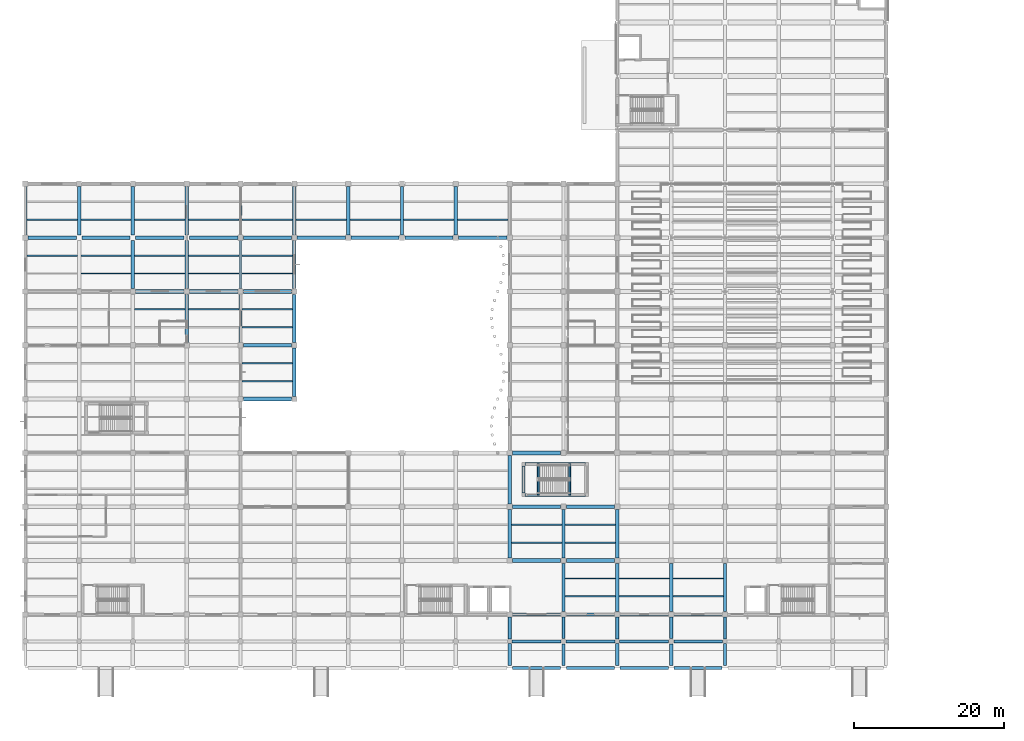
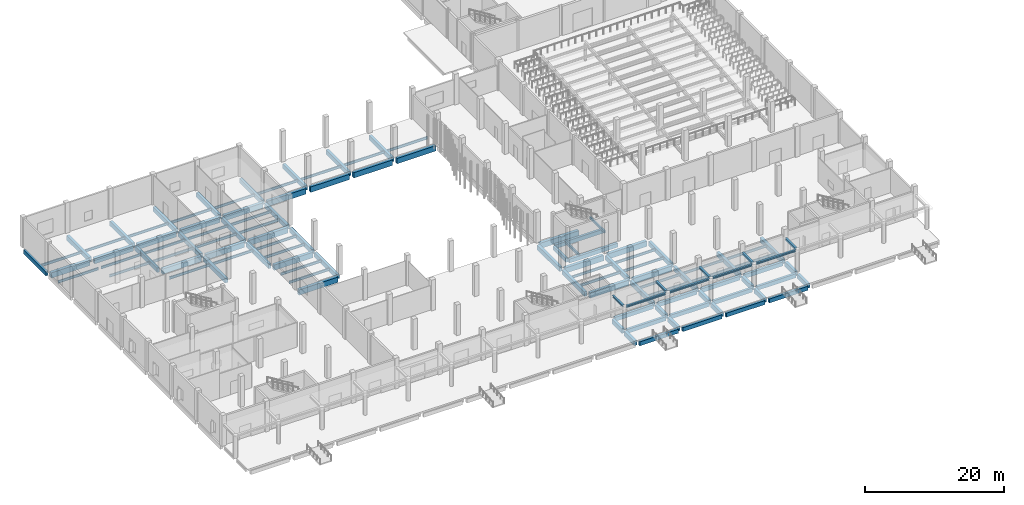
# One storey, part 15 of 46: 114 beams.
"""IFC4 building model written with IfcOpenShell, lengths in metres."""

from ifc_helpers import new_model, si_unit, direction, frame, origin, origin_2d, place, context, subcontext, project, spatial, rectangle, i_section, extrude, material, material_profile, profile_set, type_object, element, save


model = new_model("IFC4")

# Units and contexts
model_context = context("Model", 3, precision=1e-05, world=origin(), true_north=direction((0.0, 1.0)))
body_context = subcontext(model_context, "Body", "Model", "MODEL_VIEW")
ifc_project = project(units=[si_unit("LENGTHUNIT", "METRE"), si_unit("AREAUNIT", "SQUARE_METRE"), si_unit("VOLUMEUNIT", "CUBIC_METRE"), si_unit("PLANEANGLEUNIT", "RADIAN"), si_unit("MASSUNIT", "GRAM", prefix="KILO"), si_unit("THERMODYNAMICTEMPERATUREUNIT", "KELVIN"), si_unit("POWERUNIT", "WATT")], contexts=[model_context])

# Site, building, storey
site_placement = place(None, origin())
site = spatial("IfcSite", under=ifc_project, at=site_placement, CompositionType="ELEMENT")
building_placement = place(site_placement, origin())
building = spatial("IfcBuilding", under=site, at=building_placement, Name="Kaldorven Railside Theatre", CompositionType="ELEMENT")
storey_placement = place(building_placement, origin())
storey = spatial("IfcBuildingStorey", under=building, at=storey_placement, Name="L00", CompositionType="ELEMENT", Elevation=0.0)

# Beams
ifc_material_1 = material(Name="Steel S355", Category="steel")
ifc_material_profile_1 = material_profile(ifc_material_1, i_section(OverallWidth=0.300048828125, OverallDepth=0.340087890625, WebThickness=0.011962890625, FlangeThickness=0.021484375, at=origin_2d()), Name="HEB 340")
ifc_profile_set_1 = profile_set([ifc_material_profile_1], Name="Steel S355")
beam_type_1 = type_object("IfcBeamType", Name="BM-HEB340", PredefinedType="SPANDREL", material=ifc_profile_set_1)
beam_1_placement = place(storey_placement, frame((72.800048828125, 15.89990234375, 3.739990234375), z_axis=(0.0, 1.0, 0.0), x_axis=(-1.0, 0.0, 0.0)))
element("IfcBeam", 1, at=beam_1_placement, inside=storey, type_object=beam_type_1, Name="Forecourt Canopy Outrigger Beam CANB-10", PredefinedType="SPANDREL", context=body_context, shape_type="SweptSolid", body=[
    extrude(i_section(OverallWidth=0.300048828125, OverallDepth=0.340087890625, WebThickness=0.011962890625, FlangeThickness=0.021484375, at=origin_2d()), origin(), (0.0, 0.0, 1.0), 2.9501953125),
])
beam_2_placement = place(storey_placement, frame((80.0, 15.949951171875, 3.739990234375), z_axis=(0.0, 1.0, 0.0), x_axis=(-1.0, 0.0, 0.0)))
element("IfcBeam", 2, at=beam_2_placement, inside=storey, type_object=beam_type_1, Name="Forecourt Canopy Outrigger Beam CANB-11", PredefinedType="SPANDREL", context=body_context, shape_type="SweptSolid", body=[
    extrude(i_section(OverallWidth=0.300048828125, OverallDepth=0.340087890625, WebThickness=0.011962890625, FlangeThickness=0.021484375, at=origin_2d()), origin(), (0.0, 0.0, 1.0), 2.900146484375),
])
beam_3_placement = place(storey_placement, frame((87.199951171875, 15.89990234375, 3.739990234375), z_axis=(0.0, 1.0, 0.0), x_axis=(-1.0, 0.0, 0.0)))
element("IfcBeam", 3, at=beam_3_placement, inside=storey, type_object=beam_type_1, Name="Forecourt Canopy Outrigger Beam CANB-12", PredefinedType="SPANDREL", context=body_context, shape_type="SweptSolid", body=[
    extrude(i_section(OverallWidth=0.300048828125, OverallDepth=0.340087890625, WebThickness=0.011962890625, FlangeThickness=0.021484375, at=origin_2d()), origin(), (0.0, 0.0, 1.0), 2.9501953125),
])
beam_4_placement = place(storey_placement, frame((94.39990234375, 15.949951171875, 3.739990234375), z_axis=(0.0, 1.0, 0.0), x_axis=(-1.0, 0.0, 0.0)))
element("IfcBeam", 4, at=beam_4_placement, inside=storey, type_object=beam_type_1, Name="Forecourt Canopy Outrigger Beam CANB-13", PredefinedType="SPANDREL", context=body_context, shape_type="SweptSolid", body=[
    extrude(i_section(OverallWidth=0.300048828125, OverallDepth=0.340087890625, WebThickness=0.011962890625, FlangeThickness=0.021484375, at=origin_2d()), origin(), (0.0, 0.0, 1.0), 2.900146484375),
])
beam_5_placement = place(storey_placement, frame((101.60009765625, 15.89990234375, 3.739990234375), z_axis=(0.0, 1.0, 0.0), x_axis=(-1.0, 0.0, 0.0)))
element("IfcBeam", 5, at=beam_5_placement, inside=storey, type_object=beam_type_1, Name="Forecourt Canopy Outrigger Beam CANB-14", PredefinedType="SPANDREL", context=body_context, shape_type="SweptSolid", body=[
    extrude(i_section(OverallWidth=0.300048828125, OverallDepth=0.340087890625, WebThickness=0.011962890625, FlangeThickness=0.021484375, at=origin_2d()), origin(), (0.0, 0.0, 1.0), 2.9501953125),
])
for number, where, z_axis, x_axis, name in (
    (6, (73.10009765625, 15.60009765625, 3.739990234375), (1.0, 0.0, 0.0), (0.0, 1.0, 0.0), "Forecourt Canopy Front Edge Girder CANE-10"),
    (7, (80.35009765625, 15.60009765625, 3.739990234375), (1.0, 0.0, 0.0), (0.0, 1.0, 0.0), "Forecourt Canopy Front Edge Girder CANE-11"),
):
    element("IfcBeam", number, at=place(storey_placement, frame(where, z_axis=z_axis, x_axis=x_axis)), inside=storey, type_object=beam_type_1, Name=name, PredefinedType="SPANDREL", context=body_context, shape_type="SweptSolid", body=[
        extrude(i_section(OverallWidth=0.300048828125, OverallDepth=0.340087890625, WebThickness=0.011962890625, FlangeThickness=0.021484375, at=origin_2d()), origin(), (0.0, 0.0, 1.0), 6.5498046875),
    ])
for number, where, z_axis, x_axis, name in (
    (8, (87.5, 15.60009765625, 3.739990234375), (1.0, 0.0, 0.0), (0.0, 1.0, 0.0), "Forecourt Canopy Front Edge Girder CANE-12"),
    (9, (94.75, 15.60009765625, 3.739990234375), (1.0, 0.0, 0.0), (0.0, 1.0, 0.0), "Forecourt Canopy Front Edge Girder CANE-13"),
):
    element("IfcBeam", number, at=place(storey_placement, frame(where, z_axis=z_axis, x_axis=x_axis)), inside=storey, type_object=beam_type_1, Name=name, PredefinedType="SPANDREL", context=body_context, shape_type="SweptSolid", body=[
        extrude(i_section(OverallWidth=0.300048828125, OverallDepth=0.340087890625, WebThickness=0.011962890625, FlangeThickness=0.021484375, at=origin_2d()), origin(), (0.0, 0.0, 1.0), 6.550048828125),
    ])
ifc_material_profile_2 = material_profile(ifc_material_1, i_section(OverallWidth=0.18994140625, OverallDepth=0.449951171875, WebThickness=0.009521484375, FlangeThickness=0.0146484375, at=origin_2d()), Name="IPE 450")
ifc_profile_set_2 = profile_set([ifc_material_profile_2], Name="Steel S355")
beam_type_2 = type_object("IfcBeamType", Name="BM-IPE450", PredefinedType="JOIST", material=ifc_profile_set_2)
for number, where, z_axis, x_axis, name in (
    (10, (80.22509765625, 21.60009765625, -0.544921875), (1.0, 0.0, 0.0), (0.0, 1.0, 0.0), "L00 Secondary Floor Joist JG-L00-080-0216"),
    (11, (80.22509765625, 24.0, -0.544921875), (1.0, 0.0, 0.0), (0.0, 1.0, 0.0), "L00 Secondary Floor Joist JG-L00-080-0240"),
    (12, (87.425048828125, 21.60009765625, -0.544921875), (1.0, 0.0, 0.0), (0.0, 1.0, 0.0), "L00 Secondary Floor Joist JG-L00-087-0216"),
    (13, (87.425048828125, 24.0, -0.544921875), (1.0, 0.0, 0.0), (0.0, 1.0, 0.0), "L00 Secondary Floor Joist JG-L00-087-0240"),
    (14, (94.625, 21.60009765625, -0.544921875), (1.0, 0.0, 0.0), (0.0, 1.0, 0.0), "L00 Secondary Floor Joist JG-L00-094-0216"),
    (15, (94.625, 24.0, -0.544921875), (1.0, 0.0, 0.0), (0.0, 1.0, 0.0), "L00 Secondary Floor Joist JG-L00-094-0240"),
    (16, (73.02490234375, 28.800048828125, -0.544921875), (1.0, 0.0, 0.0), (0.0, 1.0, 0.0), "L00 Secondary Floor Joist JG-L00-072-0288"),
    (17, (73.02490234375, 31.199951171875, -0.544921875), (1.0, 0.0, 0.0), (0.0, 1.0, 0.0), "L00 Secondary Floor Joist JG-L00-072-0312"),
    (18, (80.22509765625, 28.800048828125, -0.544921875), (1.0, 0.0, 0.0), (0.0, 1.0, 0.0), "L00 Secondary Floor Joist JG-L00-080-0288"),
    (19, (80.22509765625, 31.199951171875, -0.544921875), (1.0, 0.0, 0.0), (0.0, 1.0, 0.0), "L00 Secondary Floor Joist JG-L00-080-0312"),
    (20, (37.02490234375, 50.39990234375, -0.5048828125), (1.0, 0.0, 0.0), (0.0, 1.0, 0.0), "L00 Secondary Floor Joist JG-L00-036-0504"),
    (21, (37.02490234375, 52.800048828125, -0.5048828125), (1.0, 0.0, 0.0), (0.0, 1.0, 0.0), "L00 Secondary Floor Joist JG-L00-036-0528"),
    (22, (22.625, 60.0, -0.52490234375), (1.0, 0.0, 0.0), (0.0, 1.0, 0.0), "L00 Secondary Floor Joist JG-L00-022-0600"),
    (23, (29.824951171875, 60.0, -0.52490234375), (1.0, 0.0, 0.0), (0.0, 1.0, 0.0), "L00 Secondary Floor Joist JG-L00-029-0600"),
    (24, (37.02490234375, 57.60009765625, -0.5048828125), (1.0, 0.0, 0.0), (0.0, 1.0, 0.0), "L00 Secondary Floor Joist JG-L00-036-0576"),
    (25, (37.02490234375, 60.0, -0.5048828125), (1.0, 0.0, 0.0), (0.0, 1.0, 0.0), "L00 Secondary Floor Joist JG-L00-036-0600"),
):
    element("IfcBeam", number, at=place(storey_placement, frame(where, z_axis=z_axis, x_axis=x_axis)), inside=storey, type_object=beam_type_2, Name=name, PredefinedType="JOIST", context=body_context, shape_type="SweptSolid", body=[
        extrude(i_section(OverallWidth=0.18994140625, OverallDepth=0.449951171875, WebThickness=0.009521484375, FlangeThickness=0.0146484375, at=origin_2d()), origin(), (0.0, 0.0, 1.0), 6.75),
    ])
beam_6_placement = place(storey_placement, frame((8.199951171875, 67.199951171875, -0.52490234375), z_axis=(1.0, 0.0, 0.0), x_axis=(0.0, 1.0, 0.0)))
element("IfcBeam", 26, at=beam_6_placement, inside=storey, type_object=beam_type_2, Name="L00 Secondary Floor Joist JG-L00-008-0672", PredefinedType="JOIST", context=body_context, shape_type="SweptSolid", body=[
    extrude(i_section(OverallWidth=0.18994140625, OverallDepth=0.449951171875, WebThickness=0.009521484375, FlangeThickness=0.0146484375, at=origin_2d()), origin(), (0.0, 0.0, 1.0), 6.775146484375),
])
for number, where, z_axis, x_axis, name in (
    (27, (15.425048828125, 64.800048828125, -0.52490234375), (1.0, 0.0, 0.0), (0.0, 1.0, 0.0), "L00 Secondary Floor Joist JG-L00-015-0648"),
    (28, (15.425048828125, 67.199951171875, -0.52490234375), (1.0, 0.0, 0.0), (0.0, 1.0, 0.0), "L00 Secondary Floor Joist JG-L00-015-0672"),
    (29, (22.625, 64.800048828125, -0.52490234375), (1.0, 0.0, 0.0), (0.0, 1.0, 0.0), "L00 Secondary Floor Joist JG-L00-022-0648"),
    (30, (22.625, 67.199951171875, -0.52490234375), (1.0, 0.0, 0.0), (0.0, 1.0, 0.0), "L00 Secondary Floor Joist JG-L00-022-0672"),
    (31, (29.824951171875, 64.800048828125, -0.52490234375), (1.0, 0.0, 0.0), (0.0, 1.0, 0.0), "L00 Secondary Floor Joist JG-L00-029-0648"),
    (32, (29.824951171875, 67.199951171875, -0.52490234375), (1.0, 0.0, 0.0), (0.0, 1.0, 0.0), "L00 Secondary Floor Joist JG-L00-029-0672"),
    (33, (37.02490234375, 64.800048828125, -0.52490234375), (1.0, 0.0, 0.0), (0.0, 1.0, 0.0), "L00 Secondary Floor Joist JG-L00-036-0648"),
    (34, (37.02490234375, 67.199951171875, -0.52490234375), (1.0, 0.0, 0.0), (0.0, 1.0, 0.0), "L00 Secondary Floor Joist JG-L00-036-0672"),
):
    element("IfcBeam", number, at=place(storey_placement, frame(where, z_axis=z_axis, x_axis=x_axis)), inside=storey, type_object=beam_type_2, Name=name, PredefinedType="JOIST", context=body_context, shape_type="SweptSolid", body=[
        extrude(i_section(OverallWidth=0.18994140625, OverallDepth=0.449951171875, WebThickness=0.009521484375, FlangeThickness=0.0146484375, at=origin_2d()), origin(), (0.0, 0.0, 1.0), 6.75),
    ])
beam_7_placement = place(storey_placement, frame((8.199951171875, 72.0, -0.52490234375), z_axis=(1.0, 0.0, 0.0), x_axis=(0.0, 1.0, 0.0)))
element("IfcBeam", 35, at=beam_7_placement, inside=storey, type_object=beam_type_2, Name="L00 Secondary Floor Joist JG-L00-008-0720", PredefinedType="JOIST", context=body_context, shape_type="SweptSolid", body=[
    extrude(i_section(OverallWidth=0.18994140625, OverallDepth=0.449951171875, WebThickness=0.009521484375, FlangeThickness=0.0146484375, at=origin_2d()), origin(), (0.0, 0.0, 1.0), 6.775146484375),
])
for number, where, z_axis, x_axis, name in (
    (36, (15.425048828125, 72.0, -0.52490234375), (1.0, 0.0, 0.0), (0.0, 1.0, 0.0), "L00 Secondary Floor Joist JG-L00-015-0720"),
    (37, (22.625, 72.0, -0.52490234375), (1.0, 0.0, 0.0), (0.0, 1.0, 0.0), "L00 Secondary Floor Joist JG-L00-022-0720"),
    (38, (29.824951171875, 72.0, -0.52490234375), (1.0, 0.0, 0.0), (0.0, 1.0, 0.0), "L00 Secondary Floor Joist JG-L00-029-0720"),
    (39, (37.02490234375, 72.0, -0.52490234375), (1.0, 0.0, 0.0), (0.0, 1.0, 0.0), "L00 Secondary Floor Joist JG-L00-036-0720"),
    (40, (44.22509765625, 72.0, -0.52490234375), (1.0, 0.0, 0.0), (0.0, 1.0, 0.0), "L00 Secondary Floor Joist JG-L00-044-0720"),
    (41, (51.425048828125, 72.0, -0.52490234375), (1.0, 0.0, 0.0), (0.0, 1.0, 0.0), "L00 Secondary Floor Joist JG-L00-051-0720"),
    (42, (58.625, 72.0, -0.52490234375), (1.0, 0.0, 0.0), (0.0, 1.0, 0.0), "L00 Secondary Floor Joist JG-L00-058-0720"),
    (43, (65.824951171875, 72.0, -0.52490234375), (1.0, 0.0, 0.0), (0.0, 1.0, 0.0), "L00 Secondary Floor Joist JG-L00-065-0720"),
):
    element("IfcBeam", number, at=place(storey_placement, frame(where, z_axis=z_axis, x_axis=x_axis)), inside=storey, type_object=beam_type_2, Name=name, PredefinedType="JOIST", context=body_context, shape_type="SweptSolid", body=[
        extrude(i_section(OverallWidth=0.18994140625, OverallDepth=0.449951171875, WebThickness=0.009521484375, FlangeThickness=0.0146484375, at=origin_2d()), origin(), (0.0, 0.0, 1.0), 6.75),
    ])
ifc_material_2 = material(Name="Concrete C40/50", Category="concrete")
ifc_material_profile_3 = material_profile(ifc_material_2, rectangle(XDim=0.25, YDim=0.39990234375, at=origin_2d()), Name="RC 250x400")
ifc_profile_set_3 = profile_set([ifc_material_profile_3], Name="Concrete C40/50")
beam_type_3 = type_object("IfcBeamType", Name="BM-RC250x400", PredefinedType="LINTEL", material=ifc_profile_set_3)
beam_8_placement = place(storey_placement, frame((76.60009765625, 35.169921875, -0.344970703125), z_axis=(0.0, 1.0, 0.0), x_axis=(-1.0, 0.0, 0.0)))
element("IfcBeam", 44, at=beam_8_placement, inside=storey, type_object=beam_type_3, Name="Stair ST-07 L00 Landing Trimmer Beam", PredefinedType="LINTEL", context=body_context, shape_type="SweptSolid", body=[
    extrude(rectangle(XDim=0.25, YDim=0.39990234375, at=origin_2d()), origin(), (0.0, 0.0, 1.0), 4.16015625),
])
beam_9_placement = place(storey_placement, frame((80.824951171875, 35.139892578125, 2.300048828125), z_axis=(0.0, 1.0, 0.0), x_axis=(-1.0, 0.0, 0.0)))
element("IfcBeam", 45, at=beam_9_placement, inside=storey, type_object=beam_type_3, Name="Stair ST-07 L00 Half-Landing Bearer", PredefinedType="LINTEL", context=body_context, shape_type="SweptSolid", body=[
    extrude(rectangle(XDim=0.25, YDim=0.39990234375, at=origin_2d()), origin(), (0.0, 0.0, 1.0), 4.22021484375),
])
ifc_material_profile_4 = material_profile(ifc_material_2, rectangle(XDim=0.39990234375, YDim=0.699951171875, at=origin_2d()), Name="RC 400x700")
ifc_profile_set_4 = profile_set([ifc_material_profile_4], Name="Concrete C40/50")
beam_type_4 = type_object("IfcBeamType", Name="BM-RC400x700", PredefinedType="BEAM", material=ifc_profile_set_4)
for number, where, z_axis, x_axis, name in (
    (46, (73.175048828125, 12.0, -0.60009765625), (1.0, 0.0, 0.0), (0.0, 1.0, 0.0), "L00 Girder BGX-L00-072-012"),
    (47, (80.375, 12.0, -0.60009765625), (1.0, 0.0, 0.0), (0.0, 1.0, 0.0), "L00 Girder BGX-L00-080-012"),
    (48, (87.574951171875, 12.0, -0.60009765625), (1.0, 0.0, 0.0), (0.0, 1.0, 0.0), "L00 Girder BGX-L00-087-012"),
):
    element("IfcBeam", number, at=place(storey_placement, frame(where, z_axis=z_axis, x_axis=x_axis)), inside=storey, type_object=beam_type_4, Name=name, PredefinedType="BEAM", context=body_context, shape_type="SweptSolid", body=[
        extrude(rectangle(XDim=0.39990234375, YDim=0.699951171875, at=origin_2d()), origin(), (0.0, 0.0, 1.0), 6.449951171875),
    ])
beam_10_placement = place(storey_placement, frame((94.77490234375, 12.0, -0.60009765625), z_axis=(1.0, 0.0, 0.0), x_axis=(0.0, 1.0, 0.0)))
element("IfcBeam", 49, at=beam_10_placement, inside=storey, type_object=beam_type_4, Name="L00 Girder BGX-L00-094-012", PredefinedType="BEAM", context=body_context, shape_type="SweptSolid", body=[
    extrude(rectangle(XDim=0.39990234375, YDim=0.699951171875, at=origin_2d()), origin(), (0.0, 0.0, 1.0), 6.4501953125),
])
for number, where, z_axis, x_axis, name in (
    (50, (73.10009765625, 15.60009765625, -0.60009765625), (1.0, 0.0, 0.0), (0.0, 1.0, 0.0), "L00 Girder BGX-L00-072-015"),
    (51, (80.35009765625, 15.60009765625, -0.60009765625), (1.0, 0.0, 0.0), (0.0, 1.0, 0.0), "L00 Girder BGX-L00-080-015"),
):
    element("IfcBeam", number, at=place(storey_placement, frame(where, z_axis=z_axis, x_axis=x_axis)), inside=storey, type_object=beam_type_4, Name=name, PredefinedType="BEAM", context=body_context, shape_type="SweptSolid", body=[
        extrude(rectangle(XDim=0.39990234375, YDim=0.699951171875, at=origin_2d()), origin(), (0.0, 0.0, 1.0), 6.5498046875),
    ])
for number, where, z_axis, x_axis, name in (
    (52, (87.5, 15.60009765625, -0.60009765625), (1.0, 0.0, 0.0), (0.0, 1.0, 0.0), "L00 Girder BGX-L00-087-015"),
    (53, (94.75, 15.60009765625, -0.60009765625), (1.0, 0.0, 0.0), (0.0, 1.0, 0.0), "L00 Girder BGX-L00-094-015"),
):
    element("IfcBeam", number, at=place(storey_placement, frame(where, z_axis=z_axis, x_axis=x_axis)), inside=storey, type_object=beam_type_4, Name=name, PredefinedType="BEAM", context=body_context, shape_type="SweptSolid", body=[
        extrude(rectangle(XDim=0.39990234375, YDim=0.699951171875, at=origin_2d()), origin(), (0.0, 0.0, 1.0), 6.550048828125),
    ])
for number, where, z_axis, x_axis, name in (
    (54, (73.175048828125, 19.199951171875, -0.669921875), (1.0, 0.0, 0.0), (0.0, 1.0, 0.0), "L00 Girder BGX-L00-072-019"),
    (55, (80.375, 19.199951171875, -0.669921875), (1.0, 0.0, 0.0), (0.0, 1.0, 0.0), "L00 Girder BGX-L00-080-019"),
    (56, (87.574951171875, 19.199951171875, -0.669921875), (1.0, 0.0, 0.0), (0.0, 1.0, 0.0), "L00 Girder BGX-L00-087-019"),
):
    element("IfcBeam", number, at=place(storey_placement, frame(where, z_axis=z_axis, x_axis=x_axis)), inside=storey, type_object=beam_type_4, Name=name, PredefinedType="BEAM", context=body_context, shape_type="SweptSolid", body=[
        extrude(rectangle(XDim=0.39990234375, YDim=0.699951171875, at=origin_2d()), origin(), (0.0, 0.0, 1.0), 6.449951171875),
    ])
beam_11_placement = place(storey_placement, frame((94.77490234375, 19.199951171875, -0.669921875), z_axis=(1.0, 0.0, 0.0), x_axis=(0.0, 1.0, 0.0)))
element("IfcBeam", 57, at=beam_11_placement, inside=storey, type_object=beam_type_4, Name="L00 Girder BGX-L00-094-019", PredefinedType="BEAM", context=body_context, shape_type="SweptSolid", body=[
    extrude(rectangle(XDim=0.39990234375, YDim=0.699951171875, at=origin_2d()), origin(), (0.0, 0.0, 1.0), 6.4501953125),
])
beam_12_placement = place(storey_placement, frame((8.0, 69.97509765625, -0.64990234375), z_axis=(0.0, 1.0, 0.0), x_axis=(-1.0, 0.0, 0.0)))
element("IfcBeam", 58, at=beam_12_placement, inside=storey, type_object=beam_type_4, Name="L00 Girder BGY-L00-008-069-72", PredefinedType="BEAM", context=body_context, shape_type="SweptSolid", body=[
    extrude(rectangle(XDim=0.39990234375, YDim=0.699951171875, at=origin_2d()), origin(), (0.0, 0.0, 1.0), 6.449951171875),
])
for number, where, z_axis, x_axis, name in (
    (59, (74.875, 35.199951171875, -0.669921875), (1.0, 0.0, 0.0), (0.0, 1.0, 0.0), "Core ST-07 L00 Ring Girder"),
    (60, (82.925048828125, 39.300048828125, -0.669921875), (-1.0, 0.0, 0.0), (0.0, -1.0, 0.0), "Core ST-07 L00 Ring Girder"),
):
    element("IfcBeam", number, at=place(storey_placement, frame(where, z_axis=z_axis, x_axis=x_axis)), inside=storey, type_object=beam_type_4, Name=name, PredefinedType="BEAM", context=body_context, shape_type="SweptSolid", body=[
        extrude(rectangle(XDim=0.39990234375, YDim=0.699951171875, at=origin_2d()), origin(), (0.0, 0.0, 1.0), 8.050048828125),
    ])
beam_13_placement = place(storey_placement, frame((74.64990234375, 39.074951171875, -0.669921875), z_axis=(0.0, -1.0, 0.0), x_axis=(1.0, 0.0, 0.0)))
element("IfcBeam", 61, at=beam_13_placement, inside=storey, type_object=beam_type_4, Name="Core ST-07 L00 Ring Girder", PredefinedType="BEAM", context=body_context, shape_type="SweptSolid", body=[
    extrude(rectangle(XDim=0.39990234375, YDim=0.699951171875, at=origin_2d()), origin(), (0.0, 0.0, 1.0), 3.64990234375),
])
ifc_material_profile_5 = material_profile(ifc_material_2, rectangle(XDim=0.449951171875, YDim=0.800048828125, at=origin_2d()), Name="RC 450x800")
ifc_profile_set_5 = profile_set([ifc_material_profile_5], Name="Concrete C40/50")
beam_type_5 = type_object("IfcBeamType", Name="BM-RC450x800", PredefinedType="BEAM", material=ifc_profile_set_5)
beam_14_placement = place(storey_placement, frame((72.800048828125, 12.375, -0.64990234375), z_axis=(0.0, 1.0, 0.0), x_axis=(-1.0, 0.0, 0.0)))
element("IfcBeam", 62, at=beam_14_placement, inside=storey, type_object=beam_type_5, Name="L00 Girder BGY-L00-072-012-36", PredefinedType="BEAM", context=body_context, shape_type="SweptSolid", body=[
    extrude(rectangle(XDim=0.449951171875, YDim=0.800048828125, at=origin_2d()), origin(), (0.0, 0.0, 1.0), 2.925048828125),
])
beam_15_placement = place(storey_placement, frame((80.0, 12.375, -0.64990234375), z_axis=(0.0, 1.0, 0.0), x_axis=(-1.0, 0.0, 0.0)))
element("IfcBeam", 63, at=beam_15_placement, inside=storey, type_object=beam_type_5, Name="L00 Girder BGY-L00-080-012-36", PredefinedType="BEAM", context=body_context, shape_type="SweptSolid", body=[
    extrude(rectangle(XDim=0.449951171875, YDim=0.800048828125, at=origin_2d()), origin(), (0.0, 0.0, 1.0), 2.875),
])
beam_16_placement = place(storey_placement, frame((87.199951171875, 12.375, -0.64990234375), z_axis=(0.0, 1.0, 0.0), x_axis=(-1.0, 0.0, 0.0)))
element("IfcBeam", 64, at=beam_16_placement, inside=storey, type_object=beam_type_5, Name="L00 Girder BGY-L00-087-012-36", PredefinedType="BEAM", context=body_context, shape_type="SweptSolid", body=[
    extrude(rectangle(XDim=0.449951171875, YDim=0.800048828125, at=origin_2d()), origin(), (0.0, 0.0, 1.0), 2.925048828125),
])
beam_17_placement = place(storey_placement, frame((94.39990234375, 12.375, -0.64990234375), z_axis=(0.0, 1.0, 0.0), x_axis=(-1.0, 0.0, 0.0)))
element("IfcBeam", 65, at=beam_17_placement, inside=storey, type_object=beam_type_5, Name="L00 Girder BGY-L00-094-012-36", PredefinedType="BEAM", context=body_context, shape_type="SweptSolid", body=[
    extrude(rectangle(XDim=0.449951171875, YDim=0.800048828125, at=origin_2d()), origin(), (0.0, 0.0, 1.0), 2.875),
])
for number, where, z_axis, x_axis, name in (
    (66, (101.60009765625, 12.375, -0.64990234375), (0.0, 1.0, 0.0), (-1.0, 0.0, 0.0), "L00 Girder BGY-L00-101-012-36"),
    (67, (72.800048828125, 15.89990234375, -0.64990234375), (0.0, 1.0, 0.0), (-1.0, 0.0, 0.0), "L00 Girder BGY-L00-072-015-36"),
):
    element("IfcBeam", number, at=place(storey_placement, frame(where, z_axis=z_axis, x_axis=x_axis)), inside=storey, type_object=beam_type_5, Name=name, PredefinedType="BEAM", context=body_context, shape_type="SweptSolid", body=[
        extrude(rectangle(XDim=0.449951171875, YDim=0.800048828125, at=origin_2d()), origin(), (0.0, 0.0, 1.0), 2.925048828125),
    ])
beam_18_placement = place(storey_placement, frame((80.0, 15.949951171875, -0.64990234375), z_axis=(0.0, 1.0, 0.0), x_axis=(-1.0, 0.0, 0.0)))
element("IfcBeam", 68, at=beam_18_placement, inside=storey, type_object=beam_type_5, Name="L00 Girder BGY-L00-080-015-36", PredefinedType="BEAM", context=body_context, shape_type="SweptSolid", body=[
    extrude(rectangle(XDim=0.449951171875, YDim=0.800048828125, at=origin_2d()), origin(), (0.0, 0.0, 1.0), 2.875),
])
beam_19_placement = place(storey_placement, frame((87.199951171875, 15.89990234375, -0.64990234375), z_axis=(0.0, 1.0, 0.0), x_axis=(-1.0, 0.0, 0.0)))
element("IfcBeam", 69, at=beam_19_placement, inside=storey, type_object=beam_type_5, Name="L00 Girder BGY-L00-087-015-36", PredefinedType="BEAM", context=body_context, shape_type="SweptSolid", body=[
    extrude(rectangle(XDim=0.449951171875, YDim=0.800048828125, at=origin_2d()), origin(), (0.0, 0.0, 1.0), 2.925048828125),
])
beam_20_placement = place(storey_placement, frame((94.39990234375, 15.949951171875, -0.64990234375), z_axis=(0.0, 1.0, 0.0), x_axis=(-1.0, 0.0, 0.0)))
element("IfcBeam", 70, at=beam_20_placement, inside=storey, type_object=beam_type_5, Name="L00 Girder BGY-L00-094-015-36", PredefinedType="BEAM", context=body_context, shape_type="SweptSolid", body=[
    extrude(rectangle(XDim=0.449951171875, YDim=0.800048828125, at=origin_2d()), origin(), (0.0, 0.0, 1.0), 2.875),
])
beam_21_placement = place(storey_placement, frame((101.60009765625, 15.89990234375, -0.64990234375), z_axis=(0.0, 1.0, 0.0), x_axis=(-1.0, 0.0, 0.0)))
element("IfcBeam", 71, at=beam_21_placement, inside=storey, type_object=beam_type_5, Name="L00 Girder BGY-L00-101-015-36", PredefinedType="BEAM", context=body_context, shape_type="SweptSolid", body=[
    extrude(rectangle(XDim=0.449951171875, YDim=0.800048828125, at=origin_2d()), origin(), (0.0, 0.0, 1.0), 2.925048828125),
])
for number, where, z_axis, x_axis, name in (
    (72, (80.0, 19.574951171875, -0.719970703125), (0.0, 1.0, 0.0), (-1.0, 0.0, 0.0), "L00 Girder BGY-L00-080-019-72"),
    (73, (87.199951171875, 19.574951171875, -0.719970703125), (0.0, 1.0, 0.0), (-1.0, 0.0, 0.0), "L00 Girder BGY-L00-087-019-72"),
    (74, (94.39990234375, 19.574951171875, -0.719970703125), (0.0, 1.0, 0.0), (-1.0, 0.0, 0.0), "L00 Girder BGY-L00-094-019-72"),
    (75, (101.60009765625, 19.574951171875, -0.719970703125), (0.0, 1.0, 0.0), (-1.0, 0.0, 0.0), "L00 Girder BGY-L00-101-019-72"),
):
    element("IfcBeam", number, at=place(storey_placement, frame(where, z_axis=z_axis, x_axis=x_axis)), inside=storey, type_object=beam_type_5, Name=name, PredefinedType="BEAM", context=body_context, shape_type="SweptSolid", body=[
        extrude(rectangle(XDim=0.449951171875, YDim=0.800048828125, at=origin_2d()), origin(), (0.0, 0.0, 1.0), 6.449951171875),
    ])
for number, where, z_axis, x_axis, name in (
    (76, (72.800048828125, 26.77490234375, -0.719970703125), (0.0, 1.0, 0.0), (-1.0, 0.0, 0.0), "L00 Girder BGY-L00-072-026-72"),
    (77, (80.0, 26.77490234375, -0.719970703125), (0.0, 1.0, 0.0), (-1.0, 0.0, 0.0), "L00 Girder BGY-L00-080-026-72"),
    (78, (87.199951171875, 26.77490234375, -0.719970703125), (0.0, 1.0, 0.0), (-1.0, 0.0, 0.0), "L00 Girder BGY-L00-087-026-72"),
):
    element("IfcBeam", number, at=place(storey_placement, frame(where, z_axis=z_axis, x_axis=x_axis)), inside=storey, type_object=beam_type_5, Name=name, PredefinedType="BEAM", context=body_context, shape_type="SweptSolid", body=[
        extrude(rectangle(XDim=0.449951171875, YDim=0.800048828125, at=origin_2d()), origin(), (0.0, 0.0, 1.0), 6.4501953125),
    ])
for number, where, z_axis, x_axis, name in (
    (79, (72.800048828125, 33.97509765625, -0.719970703125), (0.0, 1.0, 0.0), (-1.0, 0.0, 0.0), "L00 Girder BGY-L00-072-033-72"),
    (80, (44.0, 48.375, -0.679931640625), (0.0, 1.0, 0.0), (-1.0, 0.0, 0.0), "L00 Girder BGY-L00-044-048-72"),
    (81, (29.60009765625, 55.574951171875, -0.699951171875), (0.0, 1.0, 0.0), (-1.0, 0.0, 0.0), "L00 Girder BGY-L00-029-055-72"),
    (82, (36.800048828125, 55.574951171875, -0.699951171875), (0.0, 1.0, 0.0), (-1.0, 0.0, 0.0), "L00 Girder BGY-L00-036-055-72"),
    (83, (44.0, 55.574951171875, -0.679931640625), (0.0, 1.0, 0.0), (-1.0, 0.0, 0.0), "L00 Girder BGY-L00-044-055-72"),
):
    element("IfcBeam", number, at=place(storey_placement, frame(where, z_axis=z_axis, x_axis=x_axis)), inside=storey, type_object=beam_type_5, Name=name, PredefinedType="BEAM", context=body_context, shape_type="SweptSolid", body=[
        extrude(rectangle(XDim=0.449951171875, YDim=0.800048828125, at=origin_2d()), origin(), (0.0, 0.0, 1.0), 6.449951171875),
    ])
for number, where, z_axis, x_axis, name in (
    (84, (22.39990234375, 62.77490234375, -0.699951171875), (0.0, 1.0, 0.0), (-1.0, 0.0, 0.0), "L00 Girder BGY-L00-022-062-72"),
    (85, (29.60009765625, 62.77490234375, -0.699951171875), (0.0, 1.0, 0.0), (-1.0, 0.0, 0.0), "L00 Girder BGY-L00-029-062-72"),
    (86, (36.800048828125, 62.77490234375, -0.699951171875), (0.0, 1.0, 0.0), (-1.0, 0.0, 0.0), "L00 Girder BGY-L00-036-062-72"),
    (87, (44.0, 62.77490234375, -0.699951171875), (0.0, 1.0, 0.0), (-1.0, 0.0, 0.0), "L00 Girder BGY-L00-044-062-72"),
):
    element("IfcBeam", number, at=place(storey_placement, frame(where, z_axis=z_axis, x_axis=x_axis)), inside=storey, type_object=beam_type_5, Name=name, PredefinedType="BEAM", context=body_context, shape_type="SweptSolid", body=[
        extrude(rectangle(XDim=0.449951171875, YDim=0.800048828125, at=origin_2d()), origin(), (0.0, 0.0, 1.0), 6.4501953125),
    ])
for number, where, z_axis, x_axis, name in (
    (88, (15.199951171875, 69.97509765625, -0.699951171875), (0.0, 1.0, 0.0), (-1.0, 0.0, 0.0), "L00 Girder BGY-L00-015-069-72"),
    (89, (22.39990234375, 69.97509765625, -0.699951171875), (0.0, 1.0, 0.0), (-1.0, 0.0, 0.0), "L00 Girder BGY-L00-022-069-72"),
    (90, (29.60009765625, 69.97509765625, -0.699951171875), (0.0, 1.0, 0.0), (-1.0, 0.0, 0.0), "L00 Girder BGY-L00-029-069-72"),
    (91, (36.800048828125, 69.97509765625, -0.699951171875), (0.0, 1.0, 0.0), (-1.0, 0.0, 0.0), "L00 Girder BGY-L00-036-069-72"),
    (92, (44.0, 69.97509765625, -0.699951171875), (0.0, 1.0, 0.0), (-1.0, 0.0, 0.0), "L00 Girder BGY-L00-044-069-72"),
    (93, (51.199951171875, 69.97509765625, -0.699951171875), (0.0, 1.0, 0.0), (-1.0, 0.0, 0.0), "L00 Girder BGY-L00-051-069-72"),
    (94, (58.39990234375, 69.97509765625, -0.699951171875), (0.0, 1.0, 0.0), (-1.0, 0.0, 0.0), "L00 Girder BGY-L00-058-069-72"),
    (95, (65.60009765625, 69.97509765625, -0.699951171875), (0.0, 1.0, 0.0), (-1.0, 0.0, 0.0), "L00 Girder BGY-L00-065-069-72"),
):
    element("IfcBeam", number, at=place(storey_placement, frame(where, z_axis=z_axis, x_axis=x_axis)), inside=storey, type_object=beam_type_5, Name=name, PredefinedType="BEAM", context=body_context, shape_type="SweptSolid", body=[
        extrude(rectangle(XDim=0.449951171875, YDim=0.800048828125, at=origin_2d()), origin(), (0.0, 0.0, 1.0), 6.449951171875),
    ])
ifc_material_profile_6 = material_profile(ifc_material_2, rectangle(XDim=0.5, YDim=0.949951171875, at=origin_2d()), Name="RC 500x950")
ifc_profile_set_6 = profile_set([ifc_material_profile_6], Name="Concrete C40/50")
beam_type_6 = type_object("IfcBeamType", Name="BM-RC500x950", PredefinedType="BEAM", material=ifc_profile_set_6)
for number, where, z_axis, x_axis, name in (
    (96, (73.175048828125, 26.39990234375, -0.794921875), (1.0, 0.0, 0.0), (0.0, 1.0, 0.0), "L00 Girder BGX-L00-072-026"),
    (97, (80.375, 26.39990234375, -0.794921875), (1.0, 0.0, 0.0), (0.0, 1.0, 0.0), "L00 Girder BGX-L00-080-026"),
    (98, (73.175048828125, 33.60009765625, -0.794921875), (1.0, 0.0, 0.0), (0.0, 1.0, 0.0), "L00 Girder BGX-L00-072-033"),
    (99, (80.375, 33.60009765625, -0.794921875), (1.0, 0.0, 0.0), (0.0, 1.0, 0.0), "L00 Girder BGX-L00-080-033"),
    (100, (73.175048828125, 40.800048828125, -0.794921875), (1.0, 0.0, 0.0), (0.0, 1.0, 0.0), "L00 Girder BGX-L00-072-040"),
    (101, (37.175048828125, 48.0, -0.7548828125), (1.0, 0.0, 0.0), (0.0, 1.0, 0.0), "L00 Girder BGX-L00-036-048"),
    (102, (37.175048828125, 55.199951171875, -0.7548828125), (1.0, 0.0, 0.0), (0.0, 1.0, 0.0), "L00 Girder BGX-L00-036-055"),
):
    element("IfcBeam", number, at=place(storey_placement, frame(where, z_axis=z_axis, x_axis=x_axis)), inside=storey, type_object=beam_type_6, Name=name, PredefinedType="BEAM", context=body_context, shape_type="SweptSolid", body=[
        extrude(rectangle(XDim=0.5, YDim=0.949951171875, at=origin_2d()), origin(), (0.0, 0.0, 1.0), 6.449951171875),
    ])
beam_22_placement = place(storey_placement, frame((22.77490234375, 62.39990234375, -0.77490234375), z_axis=(1.0, 0.0, 0.0), x_axis=(0.0, 1.0, 0.0)))
element("IfcBeam", 103, at=beam_22_placement, inside=storey, type_object=beam_type_6, Name="L00 Girder BGX-L00-022-062", PredefinedType="BEAM", context=body_context, shape_type="SweptSolid", body=[
    extrude(rectangle(XDim=0.5, YDim=0.949951171875, at=origin_2d()), origin(), (0.0, 0.0, 1.0), 6.4501953125),
])
for number, where, z_axis, x_axis, name in (
    (104, (29.97509765625, 62.39990234375, -0.77490234375), (1.0, 0.0, 0.0), (0.0, 1.0, 0.0), "L00 Girder BGX-L00-029-062"),
    (105, (37.175048828125, 62.39990234375, -0.77490234375), (1.0, 0.0, 0.0), (0.0, 1.0, 0.0), "L00 Girder BGX-L00-036-062"),
    (106, (8.375, 69.60009765625, -0.77490234375), (1.0, 0.0, 0.0), (0.0, 1.0, 0.0), "L00 Girder BGX-L00-008-069"),
    (107, (15.574951171875, 69.60009765625, -0.77490234375), (1.0, 0.0, 0.0), (0.0, 1.0, 0.0), "L00 Girder BGX-L00-015-069"),
):
    element("IfcBeam", number, at=place(storey_placement, frame(where, z_axis=z_axis, x_axis=x_axis)), inside=storey, type_object=beam_type_6, Name=name, PredefinedType="BEAM", context=body_context, shape_type="SweptSolid", body=[
        extrude(rectangle(XDim=0.5, YDim=0.949951171875, at=origin_2d()), origin(), (0.0, 0.0, 1.0), 6.449951171875),
    ])
beam_23_placement = place(storey_placement, frame((22.77490234375, 69.60009765625, -0.77490234375), z_axis=(1.0, 0.0, 0.0), x_axis=(0.0, 1.0, 0.0)))
element("IfcBeam", 108, at=beam_23_placement, inside=storey, type_object=beam_type_6, Name="L00 Girder BGX-L00-022-069", PredefinedType="BEAM", context=body_context, shape_type="SweptSolid", body=[
    extrude(rectangle(XDim=0.5, YDim=0.949951171875, at=origin_2d()), origin(), (0.0, 0.0, 1.0), 6.4501953125),
])
for number, where, z_axis, x_axis, name in (
    (109, (29.97509765625, 69.60009765625, -0.77490234375), (1.0, 0.0, 0.0), (0.0, 1.0, 0.0), "L00 Girder BGX-L00-029-069"),
    (110, (37.175048828125, 69.60009765625, -0.77490234375), (1.0, 0.0, 0.0), (0.0, 1.0, 0.0), "L00 Girder BGX-L00-036-069"),
    (111, (44.375, 69.60009765625, -0.77490234375), (1.0, 0.0, 0.0), (0.0, 1.0, 0.0), "L00 Girder BGX-L00-044-069"),
    (112, (51.574951171875, 69.60009765625, -0.77490234375), (1.0, 0.0, 0.0), (0.0, 1.0, 0.0), "L00 Girder BGX-L00-051-069"),
):
    element("IfcBeam", number, at=place(storey_placement, frame(where, z_axis=z_axis, x_axis=x_axis)), inside=storey, type_object=beam_type_6, Name=name, PredefinedType="BEAM", context=body_context, shape_type="SweptSolid", body=[
        extrude(rectangle(XDim=0.5, YDim=0.949951171875, at=origin_2d()), origin(), (0.0, 0.0, 1.0), 6.449951171875),
    ])
beam_24_placement = place(storey_placement, frame((58.77490234375, 69.60009765625, -0.77490234375), z_axis=(1.0, 0.0, 0.0), x_axis=(0.0, 1.0, 0.0)))
element("IfcBeam", 113, at=beam_24_placement, inside=storey, type_object=beam_type_6, Name="L00 Girder BGX-L00-058-069", PredefinedType="BEAM", context=body_context, shape_type="SweptSolid", body=[
    extrude(rectangle(XDim=0.5, YDim=0.949951171875, at=origin_2d()), origin(), (0.0, 0.0, 1.0), 6.4501953125),
])
beam_25_placement = place(storey_placement, frame((65.97509765625, 69.60009765625, -0.77490234375), z_axis=(1.0, 0.0, 0.0), x_axis=(0.0, 1.0, 0.0)))
element("IfcBeam", 114, at=beam_25_placement, inside=storey, type_object=beam_type_6, Name="L00 Girder BGX-L00-065-069", PredefinedType="BEAM", context=body_context, shape_type="SweptSolid", body=[
    extrude(rectangle(XDim=0.5, YDim=0.949951171875, at=origin_2d()), origin(), (0.0, 0.0, 1.0), 6.449951171875),
])

save(model, "model.ifc")
